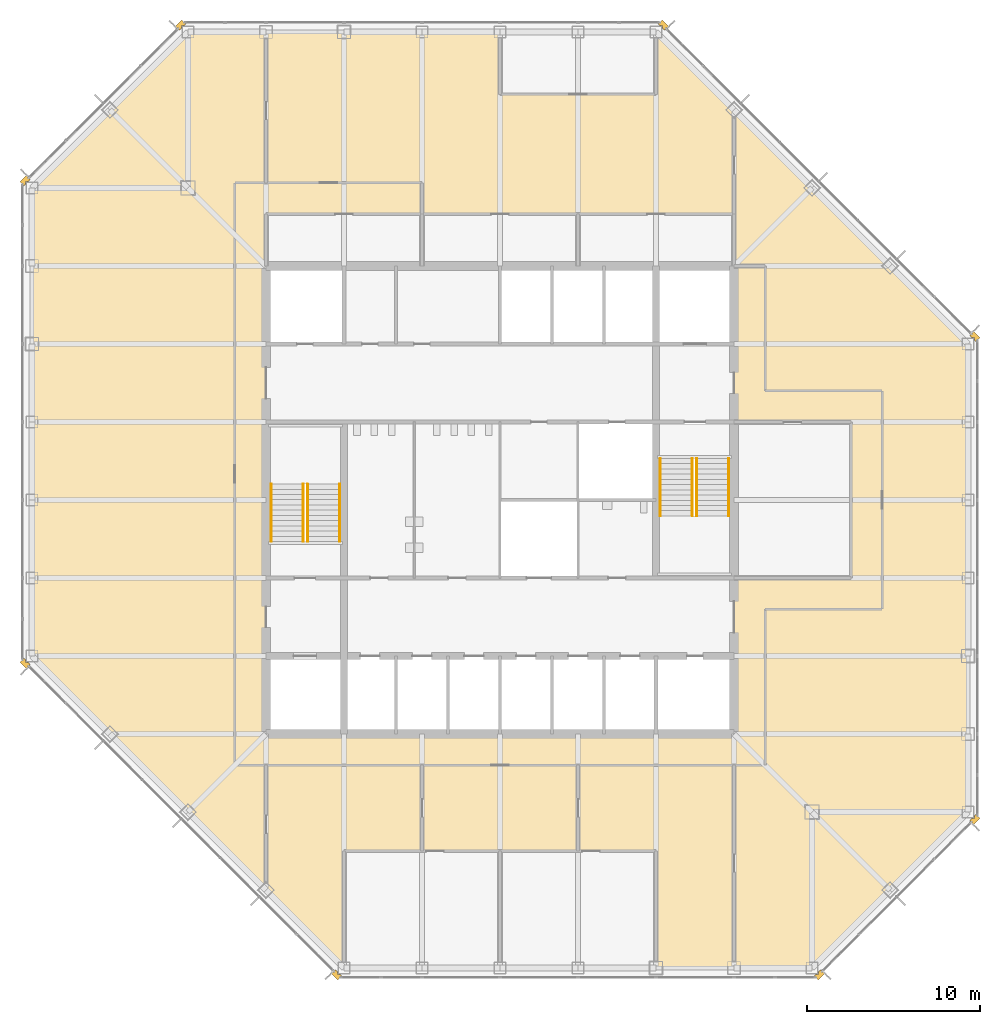
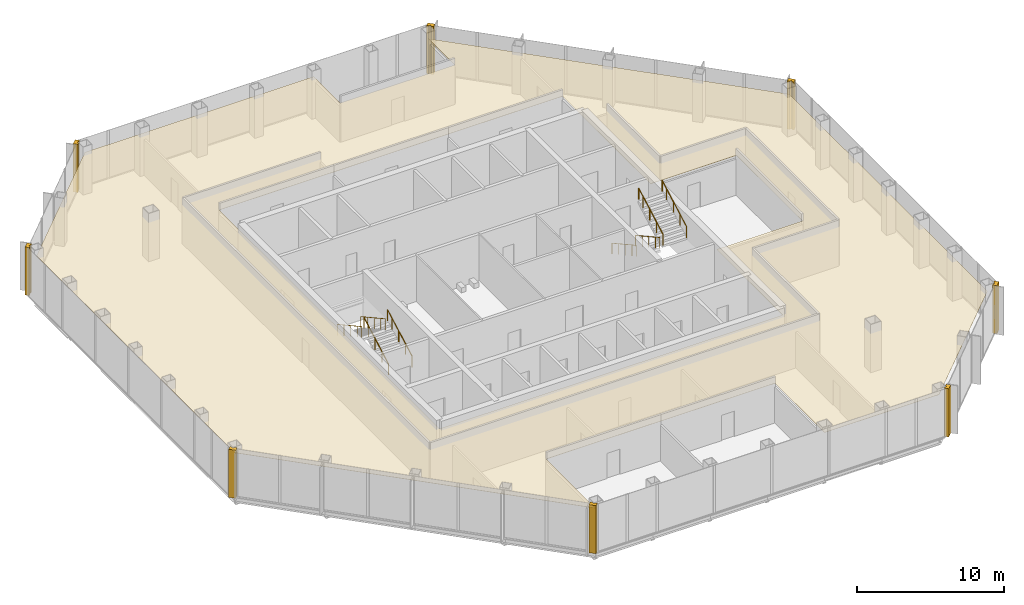
# One storey, part 11 of 12: 9 coverings, 8 railings.
"""IFC4 building model written with IfcOpenShell, lengths in metres."""

from ifc_helpers import new_model, si_unit, direction, frame, origin, origin_2d, place, context, subcontext, project, spatial, polyline, circle, outline, extrude, material, layer, layer_set, type_object, element, save


model = new_model("IFC4")

# Units and contexts
model_context = context("Model", 3, precision=1e-05, world=origin(), true_north=direction((0.0, 1.0)))
body_context = subcontext(model_context, "Body", "Model", "MODEL_VIEW")
ifc_project = project(units=[si_unit("LENGTHUNIT", "METRE"), si_unit("AREAUNIT", "SQUARE_METRE"), si_unit("VOLUMEUNIT", "CUBIC_METRE"), si_unit("PLANEANGLEUNIT", "RADIAN"), si_unit("MASSUNIT", "GRAM", prefix="KILO")], contexts=[model_context])

# Site, building, storey
site_placement = place(None, origin())
site = spatial("IfcSite", under=ifc_project, at=site_placement, CompositionType="ELEMENT")
building_placement = place(site_placement, origin())
building = spatial("IfcBuilding", under=site, at=building_placement, Name="Corais Broadcast Tower", CompositionType="ELEMENT")
storey_placement = place(building_placement, frame((0.0, 0.0, 183.60009765625)))
storey = spatial("IfcBuildingStorey", under=building, at=storey_placement, Name="L42", CompositionType="ELEMENT", Elevation=183.60009765625)

# Railings
ifc_material_1 = material(Name="Stainless steel handrail", Category="steel")
railing_type = type_object("IfcRailingType", Name="Handrail 920", PredefinedType="HANDRAIL", material=ifc_material_1)
for number, where, name in (
    (1, (17.75, 24.60009765625, 0.16650390625), "HR1 L42"),
    (2, (15.89990234375, 24.60009765625, 0.16650390625), "HR1 L42"),
):
    element("IfcRailing", number, at=place(storey_placement, frame(where)), inside=storey, type_object=railing_type, Name=name, PredefinedType="HANDRAIL", context=body_context, shape_type="SweptSolid", body=[
        extrude(circle(Radius=0.02392578125, at=origin_2d()), frame((0.0, 0.0, 0.89599609375), z_axis=(0.0, 0.875504475178, 0.483210010185), x_axis=(-1.0, 0.0, 0.0)), (0.0, 0.0, 1.0), 3.79443359375),
        extrude(circle(Radius=0.02099609375, at=origin_2d()), origin(), (0.0, 0.0, 1.0), 0.871826171875),
        extrude(circle(Radius=0.02099609375, at=origin_2d()), frame((0.0, 0.906005859375, 0.5)), (0.0, 0.0, 1.0), 0.871826171875),
        extrude(circle(Radius=0.02099609375, at=origin_2d()), frame((0.0, 1.81201171875, 1.0)), (0.0, 0.0, 1.0), 0.871826171875),
        extrude(circle(Radius=0.02099609375, at=origin_2d()), frame((0.0, 2.718017578125, 1.500244140625)), (0.0, 0.0, 1.0), 0.871826171875),
        extrude(circle(Radius=0.02099609375, at=origin_2d()), frame((0.0, 3.322021484375, 1.83349609375)), (0.0, 0.0, 1.0), 0.871826171875),
    ])
for number, where, name in (
    (3, (13.800048828125, 27.922119140625, 2.16650390625), "HR1 L42"),
    (4, (15.64990234375, 27.922119140625, 2.16650390625), "HR1 L42"),
    (5, (36.25, 29.39990234375, 0.16650390625), "HR1 L42"),
    (6, (38.10009765625, 29.39990234375, 0.16650390625), "HR1 L42"),
):
    element("IfcRailing", number, at=place(storey_placement, frame(where)), inside=storey, type_object=railing_type, Name=name, PredefinedType="HANDRAIL", context=body_context, shape_type="SweptSolid", body=[
        extrude(circle(Radius=0.02392578125, at=origin_2d()), frame((0.0, 0.0, 0.89599609375), z_axis=(0.0, -0.875504475178, 0.483210010185), x_axis=(1.0, 0.0, 0.0)), (0.0, 0.0, 1.0), 3.79443359375),
        extrude(circle(Radius=0.02099609375, at=origin_2d()), origin(), (0.0, 0.0, 1.0), 0.871826171875),
        extrude(circle(Radius=0.02099609375, at=origin_2d()), frame((0.0, -0.906005859375, 0.5)), (0.0, 0.0, 1.0), 0.871826171875),
        extrude(circle(Radius=0.02099609375, at=origin_2d()), frame((0.0, -1.81201171875, 1.0)), (0.0, 0.0, 1.0), 0.871826171875),
        extrude(circle(Radius=0.02099609375, at=origin_2d()), frame((0.0, -2.718017578125, 1.500244140625)), (0.0, 0.0, 1.0), 0.871826171875),
        extrude(circle(Radius=0.02099609375, at=origin_2d()), frame((0.0, -3.322021484375, 1.83349609375)), (0.0, 0.0, 1.0), 0.871826171875),
    ])
for number, where, name in (
    (7, (40.199951171875, 26.077880859375, 2.16650390625), "HR1 L42"),
    (8, (38.35009765625, 26.077880859375, 2.16650390625), "HR1 L42"),
):
    element("IfcRailing", number, at=place(storey_placement, frame(where)), inside=storey, type_object=railing_type, Name=name, PredefinedType="HANDRAIL", context=body_context, shape_type="SweptSolid", body=[
        extrude(circle(Radius=0.02392578125, at=origin_2d()), frame((0.0, 0.0, 0.89599609375), z_axis=(0.0, 0.875504475178, 0.483210010185), x_axis=(-1.0, 0.0, 0.0)), (0.0, 0.0, 1.0), 3.79443359375),
        extrude(circle(Radius=0.02099609375, at=origin_2d()), origin(), (0.0, 0.0, 1.0), 0.871826171875),
        extrude(circle(Radius=0.02099609375, at=origin_2d()), frame((0.0, 0.906005859375, 0.5)), (0.0, 0.0, 1.0), 0.871826171875),
        extrude(circle(Radius=0.02099609375, at=origin_2d()), frame((0.0, 1.81201171875, 1.0)), (0.0, 0.0, 1.0), 0.871826171875),
        extrude(circle(Radius=0.02099609375, at=origin_2d()), frame((0.0, 2.718017578125, 1.500244140625)), (0.0, 0.0, 1.0), 0.871826171875),
        extrude(circle(Radius=0.02099609375, at=origin_2d()), frame((0.0, 3.322021484375, 1.83349609375)), (0.0, 0.0, 1.0), 0.871826171875),
    ])

# Coverings
ifc_material_2 = material(Name="Granite stone cladding", Category="masonry")
ifc_layer_1 = layer(ifc_material_2, 0.324951171875)
ifc_layer_set_1 = layer_set([ifc_layer_1], Name="Granite stone cladding")
covering_type_1 = type_object("IfcCoveringType", Name="Stone corner pier cladding 500x325", PredefinedType="CLADDING", material=ifc_layer_set_1)
covering_1_placement = place(storey_placement, origin())
element("IfcCovering", 9, at=covering_1_placement, inside=storey, type_object=covering_type_1, Name="SP1 stone corner pier L42", PredefinedType="CLADDING", context=body_context, shape_type="SweptSolid", body=[
    extrude(outline(polyline([(17.860595703125, -0.461669921875), (17.77392578125, -0.375), (17.625, -0.375), (17.625, -0.22607421875), (17.507080078125, -0.108154296875), (17.277099609375, -0.337890625), (17.630859375, -0.69140625), (17.860595703125, -0.461669921875)])), origin(), (0.0, 0.0, 1.0), 4.0),
])
covering_2_placement = place(storey_placement, origin())
element("IfcCovering", 10, at=covering_2_placement, inside=storey, type_object=covering_type_1, Name="SP1 stone corner pier L42", PredefinedType="CLADDING", context=body_context, shape_type="SweptSolid", body=[
    extrude(outline(polyline([(-0.375, 17.77392578125), (-0.461669921875, 17.860595703125), (-0.69140625, 17.630859375), (-0.337890625, 17.277099609375), (-0.108154296875, 17.507080078125), (-0.22607421875, 17.625), (-0.375, 17.625), (-0.375, 17.77392578125)])), origin(), (0.0, 0.0, 1.0), 4.0),
])
covering_3_placement = place(storey_placement, origin())
element("IfcCovering", 11, at=covering_3_placement, inside=storey, type_object=covering_type_1, Name="SP1 stone corner pier L42", PredefinedType="CLADDING", context=body_context, shape_type="SweptSolid", body=[
    extrude(outline(polyline([(-0.461669921875, 45.139404296875), (-0.375, 45.22607421875), (-0.375, 45.375), (-0.22607421875, 45.375), (-0.108154296875, 45.492919921875), (-0.337890625, 45.722900390625), (-0.69140625, 45.369140625), (-0.461669921875, 45.139404296875)])), origin(), (0.0, 0.0, 1.0), 4.0),
])
covering_4_placement = place(storey_placement, origin())
element("IfcCovering", 12, at=covering_4_placement, inside=storey, type_object=covering_type_1, Name="SP1 stone corner pier L42", PredefinedType="CLADDING", context=body_context, shape_type="SweptSolid", body=[
    extrude(outline(polyline([(8.77392578125, 54.375), (8.860595703125, 54.461669921875), (8.630859375, 54.69140625), (8.277099609375, 54.337890625), (8.507080078125, 54.108154296875), (8.625, 54.22607421875), (8.625, 54.375), (8.77392578125, 54.375)])), origin(), (0.0, 0.0, 1.0), 4.0),
])
covering_5_placement = place(storey_placement, origin())
element("IfcCovering", 13, at=covering_5_placement, inside=storey, type_object=covering_type_1, Name="SP1 stone corner pier L42", PredefinedType="CLADDING", context=body_context, shape_type="SweptSolid", body=[
    extrude(outline(polyline([(36.139404296875, 54.461669921875), (36.22607421875, 54.375), (36.375, 54.375), (36.375, 54.22607421875), (36.492919921875, 54.108154296875), (36.722900390625, 54.337890625), (36.369140625, 54.69140625), (36.139404296875, 54.461669921875)])), origin(), (0.0, 0.0, 1.0), 4.0),
])
covering_6_placement = place(storey_placement, origin())
element("IfcCovering", 14, at=covering_6_placement, inside=storey, type_object=covering_type_1, Name="SP1 stone corner pier L42", PredefinedType="CLADDING", context=body_context, shape_type="SweptSolid", body=[
    extrude(outline(polyline([(54.375, 36.22607421875), (54.461669921875, 36.139404296875), (54.69140625, 36.369140625), (54.337890625, 36.722900390625), (54.108154296875, 36.492919921875), (54.22607421875, 36.375), (54.375, 36.375), (54.375, 36.22607421875)])), origin(), (0.0, 0.0, 1.0), 4.0),
])
covering_7_placement = place(storey_placement, origin())
element("IfcCovering", 15, at=covering_7_placement, inside=storey, type_object=covering_type_1, Name="SP1 stone corner pier L42", PredefinedType="CLADDING", context=body_context, shape_type="SweptSolid", body=[
    extrude(outline(polyline([(54.461669921875, 8.860595703125), (54.375, 8.77392578125), (54.375, 8.625), (54.22607421875, 8.625), (54.108154296875, 8.507080078125), (54.337890625, 8.277099609375), (54.69140625, 8.630859375), (54.461669921875, 8.860595703125)])), origin(), (0.0, 0.0, 1.0), 4.0),
])
covering_8_placement = place(storey_placement, origin())
element("IfcCovering", 16, at=covering_8_placement, inside=storey, type_object=covering_type_1, Name="SP1 stone corner pier L42", PredefinedType="CLADDING", context=body_context, shape_type="SweptSolid", body=[
    extrude(outline(polyline([(45.22607421875, -0.375), (45.139404296875, -0.461669921875), (45.369140625, -0.69140625), (45.722900390625, -0.337890625), (45.492919921875, -0.108154296875), (45.375, -0.22607421875), (45.375, -0.375), (45.22607421875, -0.375)])), origin(), (0.0, 0.0, 1.0), 4.0),
])
ifc_material_3 = material(Name="Mineral fibre ceiling tile", Category="mineral")
ifc_layer_2 = layer(ifc_material_3, 0.02001953125)
ifc_layer_set_2 = layer_set([ifc_layer_2], Name="Mineral fibre ceiling tile")
covering_type_2 = type_object("IfcCoveringType", Name="Suspended ceiling", PredefinedType="CEILING", material=ifc_layer_set_2)
covering_9_placement = place(storey_placement, frame((0.0, 0.0, 3.219970703125)))
element("IfcCovering", 17, at=covering_9_placement, inside=storey, type_object=covering_type_2, Name="CE1 ceiling L42", PredefinedType="CEILING", context=body_context, shape_type="SweptSolid", body=[
    extrude(outline(polyline([(18.0, 6.75), (18.0, 0.0), (13.501708984375, 4.498291015625), (13.499755859375, 4.500244140625), (0.0, 18.0), (0.0, 45.0), (9.0, 54.0), (27.0, 54.0), (27.0, 50.39990234375), (36.0, 50.39990234375), (36.0, 54.0), (54.0, 36.0), (54.0, 9.0), (45.0, 0.0), (36.0, 0.0), (36.0, 6.75), (18.0, 6.75)]), holes=[polyline([(13.5, 43.5), (13.5, 13.5), (40.5, 13.5), (40.5, 22.5), (47.25, 22.5), (47.25, 31.5), (40.5, 31.5), (40.5, 43.5), (13.5, 43.5)])]), origin(), (0.0, 0.0, 1.0), 0.02001953125),
])

save(model, "model.ifc")
